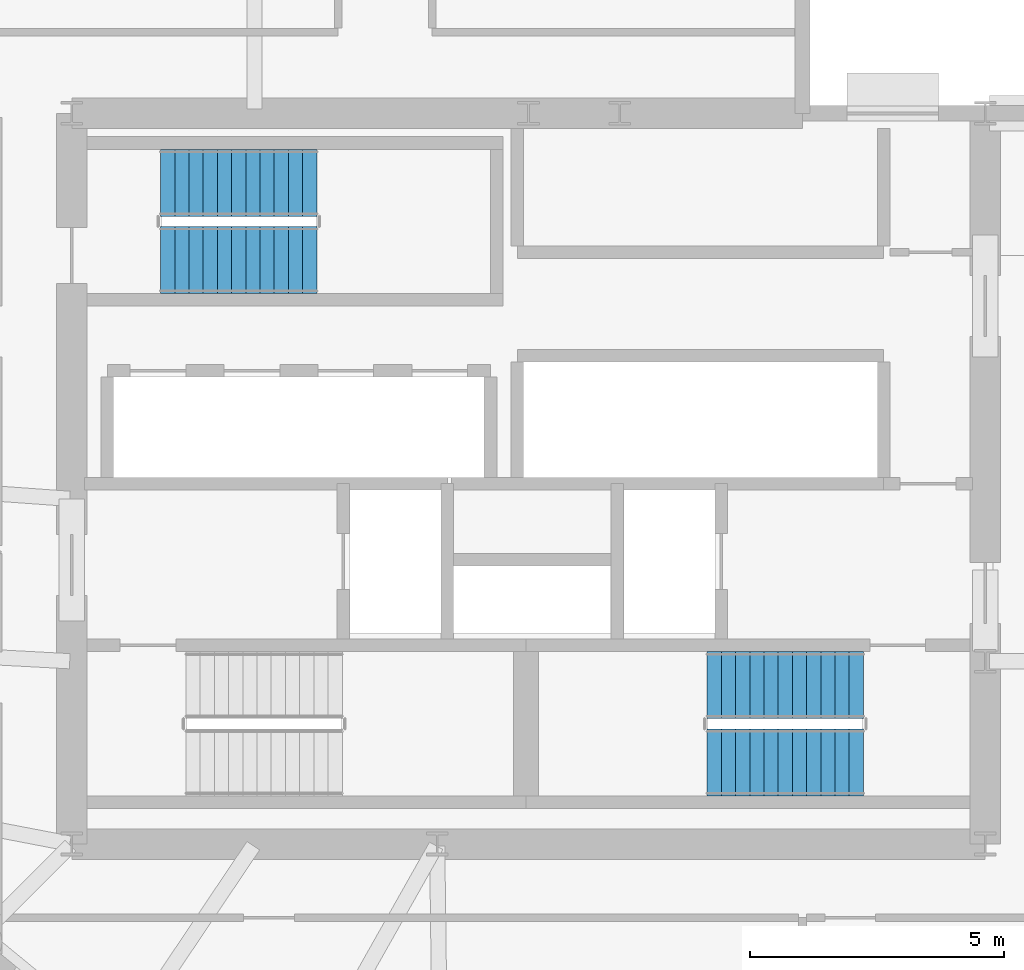
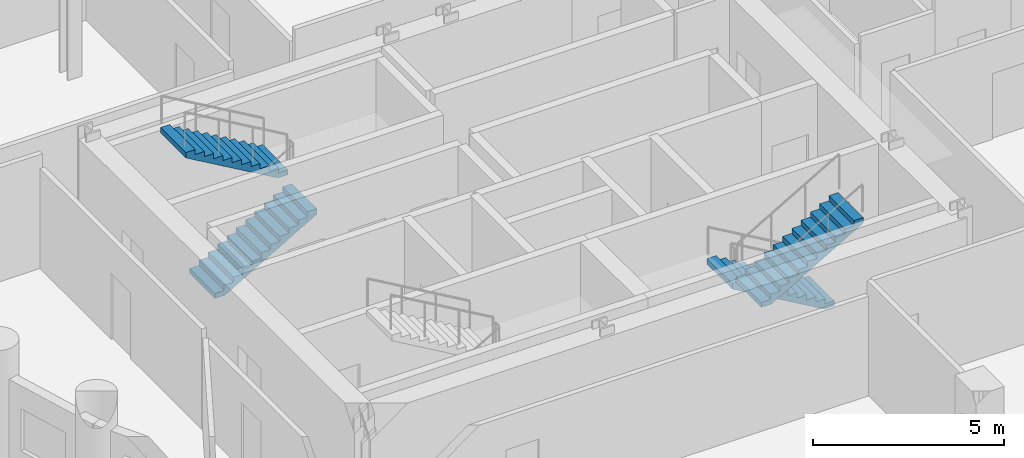
# One storey, part 7 of 10: 4 stair flights, 2 elements without a shape of their own.
"""IFC4 building model written with IfcOpenShell, lengths in metres."""

from ifc_helpers import new_model, si_unit, direction, frame, origin, place, context, subcontext, project, spatial, polyline, outline, extrude, material, type_object, element, aggregate, save


model = new_model("IFC4")

# Units and contexts
model_context = context("Model", 3, precision=1e-05, world=origin(), true_north=direction((0.0, 1.0)))
body_context = subcontext(model_context, "Body", "Model", "MODEL_VIEW")
ifc_project = project(units=[si_unit("LENGTHUNIT", "METRE"), si_unit("AREAUNIT", "SQUARE_METRE"), si_unit("VOLUMEUNIT", "CUBIC_METRE"), si_unit("PLANEANGLEUNIT", "RADIAN"), si_unit("MASSUNIT", "GRAM", prefix="KILO")], contexts=[model_context])

# Site, building, storey
site_placement = place(None, origin())
site = spatial("IfcSite", under=ifc_project, at=site_placement, CompositionType="ELEMENT")
building_placement = place(site_placement, origin())
building = spatial("IfcBuilding", under=site, at=building_placement, Name="Solnavia Interchange Tower", CompositionType="ELEMENT")
storey_placement = place(building_placement, frame((0.0, 0.0, 95.699951171875)))
storey = spatial("IfcBuildingStorey", under=building, at=storey_placement, Name="L23", CompositionType="ELEMENT", Elevation=95.699951171875)

# Stair, stair flights
ifc_material = material(Name="Concrete C40/50", Category="concrete")
stair_type = type_object("IfcStairType", Name="Stair-Dogleg-RC", PredefinedType="HALF_TURN_STAIR", material=ifc_material)
stair_1_placement = place(storey_placement, origin())
stair_1 = element("IfcStair", 1, at=stair_1_placement, inside=storey, type_object=stair_type, Name="L23 Core exit stair 2", PredefinedType="HALF_TURN_STAIR")
stair_flight_type = type_object("IfcStairFlightType", Name="StairFlight-RC-150", PredefinedType="STRAIGHT", material=ifc_material)
stair_flight_1_placement = place(storey_placement, frame((30.0, 13.929931640625, 0.0), z_axis=(0.0, 0.0, 1.0), x_axis=(-1.0, 0.0, 0.0)))
stair_flight_1 = element("IfcStairFlight", 2, at=stair_flight_1_placement, type_object=stair_flight_type, Name="ST-2 flight 1", NumberOfRisers=12, NumberOfTreads=11, PredefinedType="STRAIGHT", RiserHeight=0.1625, TreadLength=0.28, context=body_context, shape_type="SweptSolid", body=[
    extrude(outline(polyline([(0.0, 0.0), (0.0, 0.16259765625), (0.280029296875, 0.16259765625), (0.280029296875, 0.324951171875), (0.56005859375, 0.324951171875), (0.56005859375, 0.487548828125), (0.840087890625, 0.487548828125), (0.840087890625, 0.64990234375), (1.1201171875, 0.64990234375), (1.1201171875, 0.8125), (1.39990234375, 0.8125), (1.39990234375, 0.97509765625), (1.679931640625, 0.97509765625), (1.679931640625, 1.137451171875), (1.9599609375, 1.137451171875), (1.9599609375, 1.300048828125), (2.239990234375, 1.300048828125), (2.239990234375, 1.46240234375), (2.52001953125, 1.46240234375), (2.52001953125, 1.625), (2.800048828125, 1.625), (2.800048828125, 1.78759765625), (3.080078125, 1.78759765625), (3.080078125, 1.949951171875), (3.080078125, 1.6142578125), (0.298583984375, 0.0), (0.0, 0.0)])), frame((0.0, 0.66015625, 0.0), z_axis=(0.0, -1.0, 0.0), x_axis=(1.0, 0.0, 0.0)), (0.0, 0.0, 1.0), 1.320068359375),
])
stair_flight_2_placement = place(storey_placement, frame((26.919921875, 12.409912109375, 1.949951171875), z_axis=(0.0, 0.0, 1.0), x_axis=(1.0, 0.0, 0.0)))
stair_flight_2 = element("IfcStairFlight", 3, at=stair_flight_2_placement, type_object=stair_flight_type, Name="ST-2 flight 2", NumberOfRisers=12, NumberOfTreads=11, PredefinedType="STRAIGHT", RiserHeight=0.1625, TreadLength=0.28, context=body_context, shape_type="SweptSolid", body=[
    extrude(outline(polyline([(0.0, 0.0), (0.0, 0.16259765625), (0.280029296875, 0.16259765625), (0.280029296875, 0.324951171875), (0.56005859375, 0.324951171875), (0.56005859375, 0.487548828125), (0.840087890625, 0.487548828125), (0.840087890625, 0.64990234375), (1.1201171875, 0.64990234375), (1.1201171875, 0.8125), (1.39990234375, 0.8125), (1.39990234375, 0.97509765625), (1.679931640625, 0.97509765625), (1.679931640625, 1.137451171875), (1.9599609375, 1.137451171875), (1.9599609375, 1.300048828125), (2.239990234375, 1.300048828125), (2.239990234375, 1.46240234375), (2.52001953125, 1.46240234375), (2.52001953125, 1.625), (2.800048828125, 1.625), (2.800048828125, 1.78759765625), (3.080078125, 1.78759765625), (3.080078125, 1.949951171875), (3.080078125, 1.6142578125), (0.298583984375, 0.0), (0.0, 0.0)])), frame((0.0, 0.66015625, 0.0), z_axis=(0.0, -1.0, 0.0), x_axis=(1.0, 0.0, 0.0)), (0.0, 0.0, 1.0), 1.320068359375),
])
aggregate(stair_1, [stair_flight_1, stair_flight_2])

stair_2_placement = place(storey_placement, origin())
stair_2 = element("IfcStair", 4, at=stair_2_placement, inside=storey, type_object=stair_type, Name="L23 Core exit stair 3", PredefinedType="HALF_TURN_STAIR")
stair_flight_3_placement = place(storey_placement, frame((16.14990234375, 22.31005859375, 0.0), z_axis=(0.0, 0.0, 1.0), x_axis=(1.0, 0.0, 0.0)))
stair_flight_3 = element("IfcStairFlight", 5, at=stair_flight_3_placement, type_object=stair_flight_type, Name="ST-3 flight 1", NumberOfRisers=12, NumberOfTreads=11, PredefinedType="STRAIGHT", RiserHeight=0.1625, TreadLength=0.28, context=body_context, shape_type="SweptSolid", body=[
    extrude(outline(polyline([(0.0, 0.0), (0.0, 0.16259765625), (0.280029296875, 0.16259765625), (0.280029296875, 0.324951171875), (0.56005859375, 0.324951171875), (0.56005859375, 0.487548828125), (0.840087890625, 0.487548828125), (0.840087890625, 0.64990234375), (1.1201171875, 0.64990234375), (1.1201171875, 0.8125), (1.39990234375, 0.8125), (1.39990234375, 0.97509765625), (1.679931640625, 0.97509765625), (1.679931640625, 1.137451171875), (1.9599609375, 1.137451171875), (1.9599609375, 1.300048828125), (2.239990234375, 1.300048828125), (2.239990234375, 1.46240234375), (2.52001953125, 1.46240234375), (2.52001953125, 1.625), (2.800048828125, 1.625), (2.800048828125, 1.78759765625), (3.080078125, 1.78759765625), (3.080078125, 1.949951171875), (3.080078125, 1.6142578125), (0.298583984375, 0.0), (0.0, 0.0)])), frame((0.0, 0.66015625, 0.0), z_axis=(0.0, -1.0, 0.0), x_axis=(1.0, 0.0, 0.0)), (0.0, 0.0, 1.0), 1.320068359375),
])
stair_flight_4_placement = place(storey_placement, frame((19.22998046875, 23.830078125, 1.949951171875), z_axis=(0.0, 0.0, 1.0), x_axis=(-1.0, 0.0, 0.0)))
stair_flight_4 = element("IfcStairFlight", 6, at=stair_flight_4_placement, type_object=stair_flight_type, Name="ST-3 flight 2", NumberOfRisers=12, NumberOfTreads=11, PredefinedType="STRAIGHT", RiserHeight=0.1625, TreadLength=0.28, context=body_context, shape_type="SweptSolid", body=[
    extrude(outline(polyline([(0.0, 0.0), (0.0, 0.16259765625), (0.280029296875, 0.16259765625), (0.280029296875, 0.324951171875), (0.56005859375, 0.324951171875), (0.56005859375, 0.487548828125), (0.840087890625, 0.487548828125), (0.840087890625, 0.64990234375), (1.1201171875, 0.64990234375), (1.1201171875, 0.8125), (1.39990234375, 0.8125), (1.39990234375, 0.97509765625), (1.679931640625, 0.97509765625), (1.679931640625, 1.137451171875), (1.9599609375, 1.137451171875), (1.9599609375, 1.300048828125), (2.239990234375, 1.300048828125), (2.239990234375, 1.46240234375), (2.52001953125, 1.46240234375), (2.52001953125, 1.625), (2.800048828125, 1.625), (2.800048828125, 1.78759765625), (3.080078125, 1.78759765625), (3.080078125, 1.949951171875), (3.080078125, 1.6142578125), (0.298583984375, 0.0), (0.0, 0.0)])), frame((0.0, 0.66015625, 0.0), z_axis=(0.0, -1.0, 0.0), x_axis=(1.0, 0.0, 0.0)), (0.0, 0.0, 1.0), 1.320068359375),
])
aggregate(stair_2, [stair_flight_3, stair_flight_4])

save(model, "model.ifc")
